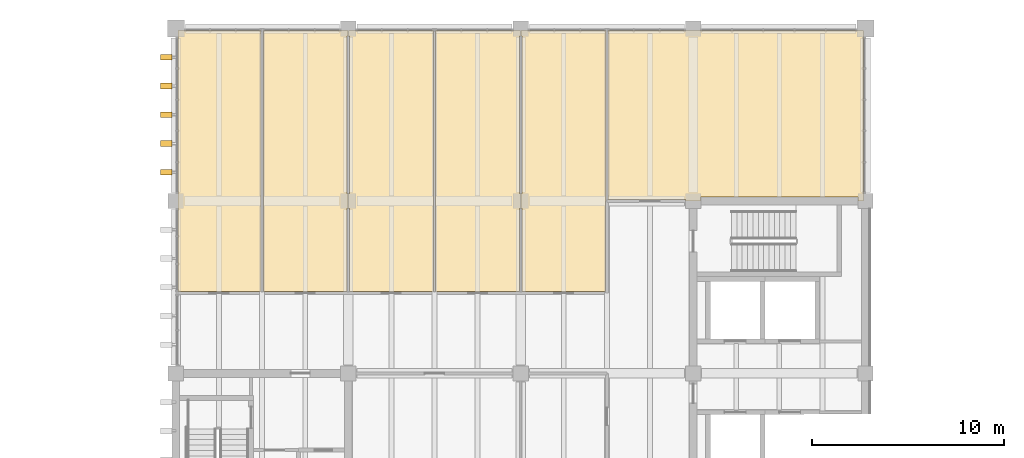
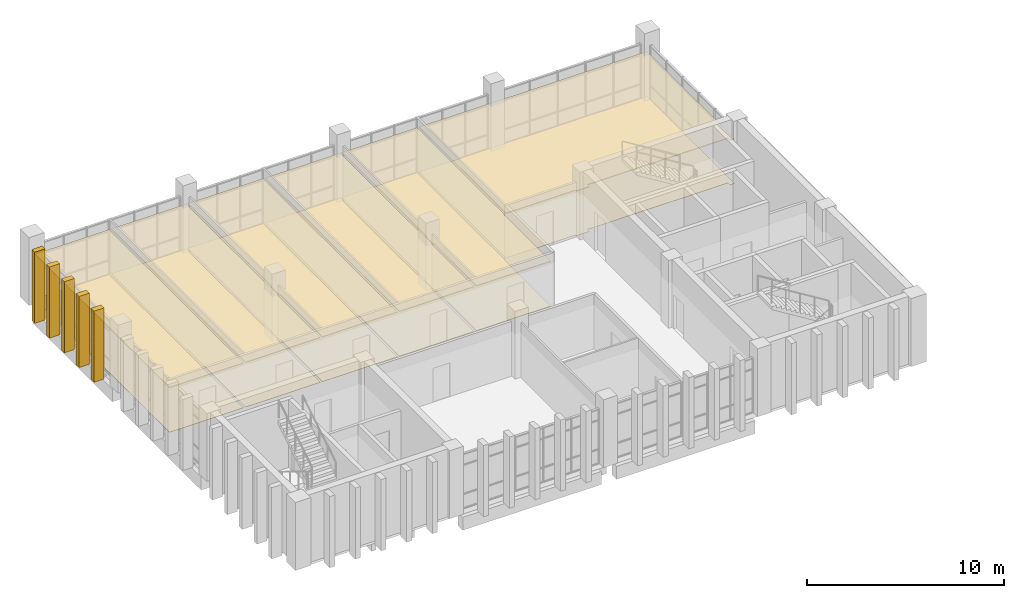
# One storey, part 50 of 50: 12 coverings, 5 shading devices.
"""IFC4 building model written with IfcOpenShell, lengths in metres."""

from ifc_helpers import new_model, si_unit, direction, frame, origin, place, context, subcontext, project, spatial, polyline, outline, extrude, source, transform, mapped, material, layer, layer_set, type_object, element, save


model = new_model("IFC4")

# Units and contexts
model_context = context("Model", 3, precision=1e-05, world=origin(), true_north=direction((0.0, 1.0)))
body_context = subcontext(model_context, "Body", "Model", "MODEL_VIEW")
ifc_project = project(units=[si_unit("LENGTHUNIT", "METRE"), si_unit("AREAUNIT", "SQUARE_METRE"), si_unit("VOLUMEUNIT", "CUBIC_METRE"), si_unit("PLANEANGLEUNIT", "RADIAN"), si_unit("MASSUNIT", "GRAM", prefix="KILO")], contexts=[model_context])

# Site, building, storey
site_placement = place(None, origin())
site = spatial("IfcSite", under=ifc_project, at=site_placement, CompositionType="ELEMENT")
building_placement = place(site_placement, origin())
building = spatial("IfcBuilding", under=site, at=building_placement, Name="Merrow Basin Faculty of Sciences", CompositionType="ELEMENT")
storey_placement = place(building_placement, frame((0.0, 0.0, 18.0)))
storey = spatial("IfcBuildingStorey", under=building, at=storey_placement, Name="L04", CompositionType="ELEMENT", Elevation=18.0)

# Coverings
ifc_material_1 = material(Name="Carpet tile floor")
ifc_layer_1 = layer(ifc_material_1, 0.02001953125)
ifc_layer_set_1 = layer_set([ifc_layer_1], Name="Carpet tile floor")
covering_type_1 = type_object("IfcCoveringType", Name="Carpet tile floor", PredefinedType="FLOORING", material=ifc_layer_set_1)
covering_1_placement = place(storey_placement, origin())
element("IfcCovering", 1, at=covering_1_placement, inside=storey, type_object=covering_type_1, Name="Floor finish L04-T-014", PredefinedType="FLOORING", context=body_context, shape_type="SweptSolid", body=[
    extrude(outline(polyline([(18.110107421875, 168.889892578125), (22.43994140625, 168.889892578125), (22.43994140625, 155.284912109375), (18.110107421875, 155.284912109375), (18.110107421875, 168.889892578125)])), origin(), (0.0, 0.0, 1.0), 0.02001953125),
])
covering_2_placement = place(storey_placement, origin())
element("IfcCovering", 2, at=covering_2_placement, inside=storey, type_object=covering_type_1, Name="Floor finish L04-T-015", PredefinedType="FLOORING", context=body_context, shape_type="SweptSolid", body=[
    extrude(outline(polyline([(22.56005859375, 155.284912109375), (22.56005859375, 168.889892578125), (26.989990234375, 168.889892578125), (26.989990234375, 168.610107421875), (26.93994140625, 168.610107421875), (26.93994140625, 160.389892578125), (26.989990234375, 160.389892578125), (26.989990234375, 159.610107421875), (26.93994140625, 159.610107421875), (26.93994140625, 155.284912109375), (22.56005859375, 155.284912109375)])), origin(), (0.0, 0.0, 1.0), 0.02001953125),
])
covering_3_placement = place(storey_placement, origin())
element("IfcCovering", 3, at=covering_3_placement, inside=storey, type_object=covering_type_1, Name="Floor finish L04-T-016", PredefinedType="FLOORING", context=body_context, shape_type="SweptSolid", body=[
    extrude(outline(polyline([(27.06005859375, 155.284912109375), (27.06005859375, 159.610107421875), (27.010009765625, 159.610107421875), (27.010009765625, 160.389892578125), (27.06005859375, 160.389892578125), (27.06005859375, 168.610107421875), (27.010009765625, 168.610107421875), (27.010009765625, 168.889892578125), (31.43994140625, 168.889892578125), (31.43994140625, 155.284912109375), (27.06005859375, 155.284912109375)])), origin(), (0.0, 0.0, 1.0), 0.02001953125),
])
covering_4_placement = place(storey_placement, origin())
element("IfcCovering", 4, at=covering_4_placement, inside=storey, type_object=covering_type_1, Name="Floor finish L04-T-017", PredefinedType="FLOORING", context=body_context, shape_type="SweptSolid", body=[
    extrude(outline(polyline([(31.56005859375, 155.284912109375), (31.56005859375, 168.889892578125), (35.989990234375, 168.889892578125), (35.989990234375, 168.610107421875), (35.93994140625, 168.610107421875), (35.93994140625, 160.389892578125), (35.989990234375, 160.389892578125), (35.989990234375, 159.610107421875), (35.93994140625, 159.610107421875), (35.93994140625, 155.284912109375), (31.56005859375, 155.284912109375)])), origin(), (0.0, 0.0, 1.0), 0.02001953125),
])
covering_5_placement = place(storey_placement, origin())
element("IfcCovering", 5, at=covering_5_placement, inside=storey, type_object=covering_type_1, Name="Floor finish L04-T-018", PredefinedType="FLOORING", context=body_context, shape_type="SweptSolid", body=[
    extrude(outline(polyline([(36.06005859375, 155.284912109375), (36.06005859375, 159.610107421875), (36.010009765625, 159.610107421875), (36.010009765625, 160.389892578125), (36.06005859375, 160.389892578125), (36.06005859375, 168.610107421875), (36.010009765625, 168.610107421875), (36.010009765625, 168.889892578125), (40.43994140625, 168.889892578125), (40.43994140625, 160.010009765625), (40.4150390625, 160.010009765625), (40.4150390625, 155.284912109375), (36.06005859375, 155.284912109375)])), origin(), (0.0, 0.0, 1.0), 0.02001953125),
])
covering_6_placement = place(storey_placement, origin())
element("IfcCovering", 6, at=covering_6_placement, inside=storey, type_object=covering_type_1, Name="Floor finish L04-T-020", PredefinedType="FLOORING", context=body_context, shape_type="SweptSolid", body=[
    extrude(outline(polyline([(53.889892578125, 168.889892578125), (53.889892578125, 160.010009765625), (53.610107421875, 160.010009765625), (53.610107421875, 160.2099609375), (45.389892578125, 160.2099609375), (45.389892578125, 160.010009765625), (44.610107421875, 160.010009765625), (44.610107421875, 160.0849609375), (40.56005859375, 160.0849609375), (40.56005859375, 168.889892578125), (53.889892578125, 168.889892578125)])), origin(), (0.0, 0.0, 1.0), 0.02001953125),
])
ifc_material_2 = material(Name="Mineral fibre ceiling tile")
ifc_layer_2 = layer(ifc_material_2, 0.050048828125)
ifc_layer_set_2 = layer_set([ifc_layer_2], Name="Suspended acoustic ceiling tile")
covering_type_2 = type_object("IfcCoveringType", Name="Suspended acoustic ceiling tile", PredefinedType="CEILING", material=ifc_layer_set_2)
covering_7_placement = place(storey_placement, frame((0.0, 0.0, 2.75)))
element("IfcCovering", 7, at=covering_7_placement, inside=storey, type_object=covering_type_2, Name="Ceiling L04-T-014", PredefinedType="CEILING", context=body_context, shape_type="SweptSolid", body=[
    extrude(outline(polyline([(18.110107421875, 168.889892578125), (22.43994140625, 168.889892578125), (22.43994140625, 155.284912109375), (18.110107421875, 155.284912109375), (18.110107421875, 168.889892578125)])), origin(), (0.0, 0.0, 1.0), 0.050048828125),
])
covering_8_placement = place(storey_placement, frame((0.0, 0.0, 2.75)))
element("IfcCovering", 8, at=covering_8_placement, inside=storey, type_object=covering_type_2, Name="Ceiling L04-T-015", PredefinedType="CEILING", context=body_context, shape_type="SweptSolid", body=[
    extrude(outline(polyline([(22.56005859375, 155.284912109375), (22.56005859375, 168.889892578125), (26.989990234375, 168.889892578125), (26.989990234375, 168.610107421875), (26.93994140625, 168.610107421875), (26.93994140625, 160.389892578125), (26.989990234375, 160.389892578125), (26.989990234375, 159.610107421875), (26.93994140625, 159.610107421875), (26.93994140625, 155.284912109375), (22.56005859375, 155.284912109375)])), origin(), (0.0, 0.0, 1.0), 0.050048828125),
])
covering_9_placement = place(storey_placement, frame((0.0, 0.0, 2.75)))
element("IfcCovering", 9, at=covering_9_placement, inside=storey, type_object=covering_type_2, Name="Ceiling L04-T-016", PredefinedType="CEILING", context=body_context, shape_type="SweptSolid", body=[
    extrude(outline(polyline([(27.06005859375, 155.284912109375), (27.06005859375, 159.610107421875), (27.010009765625, 159.610107421875), (27.010009765625, 160.389892578125), (27.06005859375, 160.389892578125), (27.06005859375, 168.610107421875), (27.010009765625, 168.610107421875), (27.010009765625, 168.889892578125), (31.43994140625, 168.889892578125), (31.43994140625, 155.284912109375), (27.06005859375, 155.284912109375)])), origin(), (0.0, 0.0, 1.0), 0.050048828125),
])
covering_10_placement = place(storey_placement, frame((0.0, 0.0, 2.75)))
element("IfcCovering", 10, at=covering_10_placement, inside=storey, type_object=covering_type_2, Name="Ceiling L04-T-017", PredefinedType="CEILING", context=body_context, shape_type="SweptSolid", body=[
    extrude(outline(polyline([(31.56005859375, 155.284912109375), (31.56005859375, 168.889892578125), (35.989990234375, 168.889892578125), (35.989990234375, 168.610107421875), (35.93994140625, 168.610107421875), (35.93994140625, 160.389892578125), (35.989990234375, 160.389892578125), (35.989990234375, 159.610107421875), (35.93994140625, 159.610107421875), (35.93994140625, 155.284912109375), (31.56005859375, 155.284912109375)])), origin(), (0.0, 0.0, 1.0), 0.050048828125),
])
covering_11_placement = place(storey_placement, frame((0.0, 0.0, 2.75)))
element("IfcCovering", 11, at=covering_11_placement, inside=storey, type_object=covering_type_2, Name="Ceiling L04-T-018", PredefinedType="CEILING", context=body_context, shape_type="SweptSolid", body=[
    extrude(outline(polyline([(36.06005859375, 155.284912109375), (36.06005859375, 159.610107421875), (36.010009765625, 159.610107421875), (36.010009765625, 160.389892578125), (36.06005859375, 160.389892578125), (36.06005859375, 168.610107421875), (36.010009765625, 168.610107421875), (36.010009765625, 168.889892578125), (40.43994140625, 168.889892578125), (40.43994140625, 160.010009765625), (40.4150390625, 160.010009765625), (40.4150390625, 155.284912109375), (36.06005859375, 155.284912109375)])), origin(), (0.0, 0.0, 1.0), 0.050048828125),
])
covering_12_placement = place(storey_placement, frame((0.0, 0.0, 2.75)))
element("IfcCovering", 12, at=covering_12_placement, inside=storey, type_object=covering_type_2, Name="Ceiling L04-T-020", PredefinedType="CEILING", context=body_context, shape_type="SweptSolid", body=[
    extrude(outline(polyline([(53.889892578125, 168.889892578125), (53.889892578125, 160.010009765625), (53.610107421875, 160.010009765625), (53.610107421875, 160.2099609375), (45.389892578125, 160.2099609375), (45.389892578125, 160.010009765625), (44.610107421875, 160.010009765625), (44.610107421875, 160.0849609375), (40.56005859375, 160.0849609375), (40.56005859375, 168.889892578125), (53.889892578125, 168.889892578125)])), origin(), (0.0, 0.0, 1.0), 0.050048828125),
])

# Shading devices
ifc_material_3 = material(Name="White precast concrete C50/60", Category="concrete")
shading_device_type = type_object("IfcShadingDeviceType", Name="White precast fin 300 x 600", PredefinedType="USERDEFINED", material=ifc_material_3)
shared_shape = source(origin(), body_context, "Body", "SweptSolid", [
    extrude(outline(polyline([(0.0, 0.0), (0.300048828125, 0.0), (0.300048828125, 4.39990234375), (0.0, 4.39990234375), (0.0, 0.0)])), origin(), (0.0, 0.0, 1.0), 0.60009765625),
])
for number, where, z_axis, x_axis, name in (
    (13, (17.800048828125, 161.64990234375, -0.25), (-1.0, 0.0, 0.0), (0.0, -1.0, 0.0), "Brise-soleil fin WL04"),
    (14, (17.800048828125, 163.14990234375, -0.25), (-1.0, 0.0, 0.0), (0.0, -1.0, 0.0), "Brise-soleil fin WL04"),
    (15, (17.800048828125, 164.64990234375, -0.25), (-1.0, 0.0, 0.0), (0.0, -1.0, 0.0), "Brise-soleil fin WL04"),
    (16, (17.800048828125, 166.14990234375, -0.25), (-1.0, 0.0, 0.0), (0.0, -1.0, 0.0), "Brise-soleil fin WL04"),
    (17, (17.800048828125, 167.64990234375, -0.25), (-1.0, 0.0, 0.0), (0.0, -1.0, 0.0), "Brise-soleil fin WL04"),
):
    element("IfcShadingDevice", number, at=place(storey_placement, frame(where, z_axis=z_axis, x_axis=x_axis)), inside=storey, type_object=shading_device_type, Name=name, ObjectType="FIN", PredefinedType="USERDEFINED", context=body_context, shape_type="MappedRepresentation", body=[
        mapped(shared_shape, transform((0.0, 0.0, 0.0), scale=1.0)),
    ])

save(model, "model.ifc")
